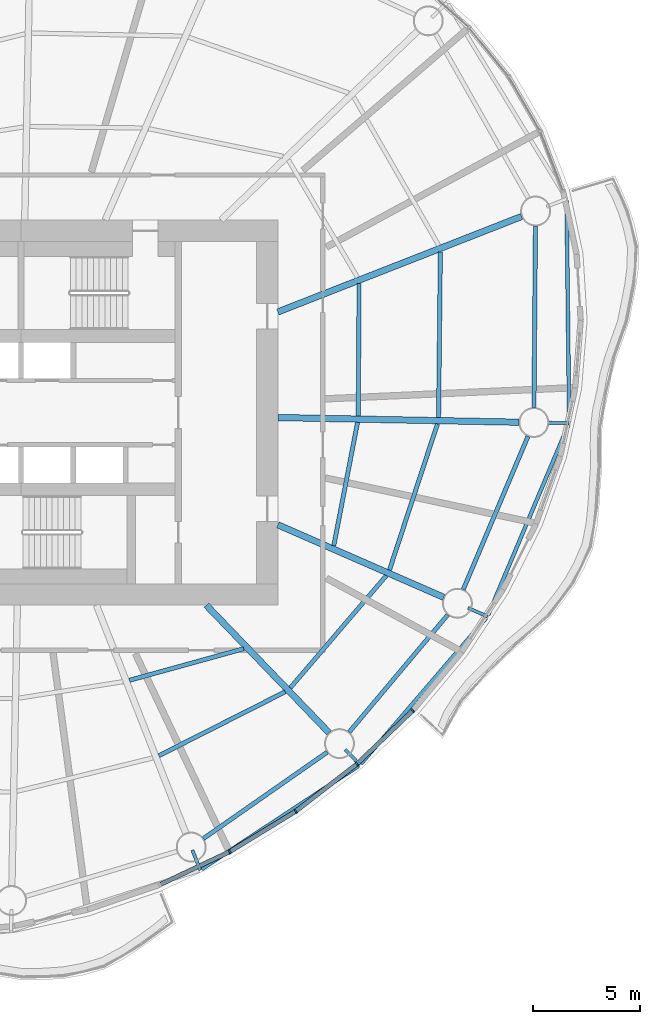
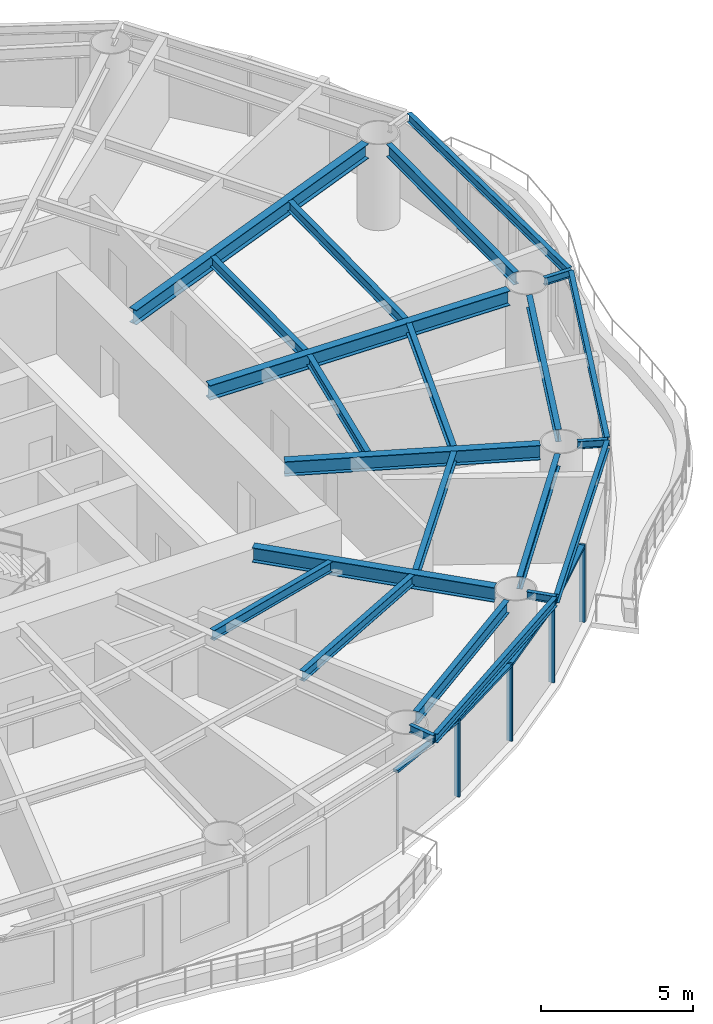
# One storey, part 4 of 14: 23 beams, 8 members, 4 elements without a shape of their own.
"""IFC4 building model written with IfcOpenShell, lengths in metres."""

from ifc_helpers import new_model, si_unit, direction, frame, origin, origin_2d, place, context, subcontext, project, spatial, rectangle, i_section, extrude, material, material_profile, profile_set, type_object, element, aggregate, save


model = new_model("IFC4")

# Units and contexts
model_context = context("Model", 3, precision=1e-05, world=origin(), true_north=direction((0.0, 1.0)))
body_context = subcontext(model_context, "Body", "Model", "MODEL_VIEW")
ifc_project = project(units=[si_unit("LENGTHUNIT", "METRE"), si_unit("AREAUNIT", "SQUARE_METRE"), si_unit("VOLUMEUNIT", "CUBIC_METRE"), si_unit("PLANEANGLEUNIT", "RADIAN"), si_unit("MASSUNIT", "GRAM", prefix="KILO")], contexts=[model_context])

# Site, building, storey
site_placement = place(None, origin())
site = spatial("IfcSite", under=ifc_project, at=site_placement, CompositionType="ELEMENT")
building_placement = place(site_placement, origin())
building = spatial("IfcBuilding", under=site, at=building_placement, Name="Vermilion Reach Broadcast Tower", CompositionType="ELEMENT")
storey_placement = place(building_placement, frame((0.0, 0.0, 172.199951171875)))
storey = spatial("IfcBuildingStorey", under=building, at=storey_placement, Name="L41", CompositionType="ELEMENT", Elevation=172.199951171875)

# Beams
ifc_material_1 = material(Name="Steel S355J2", Category="steel")
ifc_material_profile_1 = material_profile(ifc_material_1, i_section(OverallWidth=0.175048828125, OverallDepth=0.35009765625, WebThickness=0.007080078125, FlangeThickness=0.010986328125, at=origin_2d()), Name="S355J2 HN 350x175x7x11")
ifc_profile_set_1 = profile_set([ifc_material_profile_1], Name="Steel S355J2")
beam_type_1 = type_object("IfcBeamType", Name="EB3 HN 350x175x7x11", PredefinedType="BEAM", material=ifc_profile_set_1)
beam_1_placement = place(storey_placement, frame((2.43701171875, -21.334228515625, 3.275146484375), z_axis=(0.835294472023, 0.549802823754, 0.0), x_axis=(-0.549802823754, 0.835294472023, 0.0)))
element("IfcBeam", 1, at=beam_1_placement, inside=storey, type_object=beam_type_1, Name="Edge beam EB3-12", PredefinedType="BEAM", context=body_context, shape_type="SweptSolid", body=[
    extrude(i_section(OverallWidth=0.175048828125, OverallDepth=0.35009765625, WebThickness=0.007080078125, FlangeThickness=0.010986328125, at=origin_2d()), origin(), (0.0, 0.0, 1.0), 8.783447265625),
])
beam_2_placement = place(storey_placement, frame((9.886474609375, -16.406005859375, 3.275146484375), z_axis=(0.651522392259, 0.75862940385, 0.0), x_axis=(-0.75862940385, 0.651522392259, 0.0)))
element("IfcBeam", 2, at=beam_2_placement, inside=storey, type_object=beam_type_1, Name="Edge beam EB3-13", PredefinedType="BEAM", context=body_context, shape_type="SweptSolid", body=[
    extrude(i_section(OverallWidth=0.175048828125, OverallDepth=0.35009765625, WebThickness=0.007080078125, FlangeThickness=0.010986328125, at=origin_2d()), origin(), (0.0, 0.0, 1.0), 8.989990234375),
])
beam_3_placement = place(storey_placement, frame((15.823974609375, -9.457275390625, 3.275146484375), z_axis=(0.389124766338, 0.92118506079, 0.0), x_axis=(-0.92118506079, 0.389124766338, 0.0)))
element("IfcBeam", 3, at=beam_3_placement, inside=storey, type_object=beam_type_1, Name="Edge beam EB3-14", PredefinedType="BEAM", context=body_context, shape_type="SweptSolid", body=[
    extrude(i_section(OverallWidth=0.175048828125, OverallDepth=0.35009765625, WebThickness=0.007080078125, FlangeThickness=0.010986328125, at=origin_2d()), origin(), (0.0, 0.0, 1.0), 9.64697265625),
])
beam_4_placement = place(storey_placement, frame((19.6083984375, -0.421142578125, 3.275146484375), z_axis=(-0.011491319714, 0.999933972606, 0.0), x_axis=(-0.999933972606, -0.011491319714, 0.0)))
element("IfcBeam", 4, at=beam_4_placement, inside=storey, type_object=beam_type_1, Name="Edge beam EB3-15", PredefinedType="BEAM", context=body_context, shape_type="SweptSolid", body=[
    extrude(i_section(OverallWidth=0.175048828125, OverallDepth=0.35009765625, WebThickness=0.007080078125, FlangeThickness=0.010986328125, at=origin_2d()), origin(), (0.0, 0.0, 1.0), 10.325439453125),
])
ifc_material_2 = material(Name="Steel S355J2", Category="steel")
ifc_material_profile_2 = material_profile(ifc_material_2, i_section(OverallWidth=0.300048828125, OverallDepth=0.587890625, WebThickness=0.011962890625, FlangeThickness=0.02001953125, at=origin_2d()), Name="S355J2 HM 588x300x12x20")
ifc_profile_set_2 = profile_set([ifc_material_profile_2], Name="Steel S355J2")
beam_type_2 = type_object("IfcBeamType", Name="G3 HM 588x300x12x20", PredefinedType="BEAM", material=ifc_profile_set_2)
beam_5_placement = place(storey_placement, frame((2.657958984375, -9.0, 3.156005859375), z_axis=(0.693282657492, -0.72066577331, 0.0), x_axis=(0.72066577331, 0.693282657492, 0.0)))
element("IfcBeam", 5, at=beam_5_placement, inside=storey, type_object=beam_type_2, Name="Girder G3-13", PredefinedType="BEAM", context=body_context, shape_type="SweptSolid", body=[
    extrude(i_section(OverallWidth=0.300048828125, OverallDepth=0.587890625, WebThickness=0.011962890625, FlangeThickness=0.02001953125, at=origin_2d()), origin(), (0.0, 0.0, 1.0), 8.273681640625),
])
beam_6_placement = place(storey_placement, frame((6.0, -5.2451171875, 3.156005859375), z_axis=(0.916287847036, -0.400520388213, 0.0), x_axis=(0.400520388213, 0.916287847036, 0.0)))
element("IfcBeam", 6, at=beam_6_placement, inside=storey, type_object=beam_type_2, Name="Girder G3-14", PredefinedType="BEAM", context=body_context, shape_type="SweptSolid", body=[
    extrude(i_section(OverallWidth=0.300048828125, OverallDepth=0.587890625, WebThickness=0.011962890625, FlangeThickness=0.02001953125, at=origin_2d()), origin(), (0.0, 0.0, 1.0), 8.45458984375),
])
beam_7_placement = place(storey_placement, frame((6.0, -0.232421875, 3.156005859375), z_axis=(0.999812170888, -0.019380994401, 0.0), x_axis=(0.019380994401, 0.999812170888, 0.0)))
element("IfcBeam", 7, at=beam_7_placement, inside=storey, type_object=beam_type_2, Name="Girder G3-15", PredefinedType="BEAM", context=body_context, shape_type="SweptSolid", body=[
    extrude(i_section(OverallWidth=0.300048828125, OverallDepth=0.587890625, WebThickness=0.011962890625, FlangeThickness=0.02001953125, at=origin_2d()), origin(), (0.0, 0.0, 1.0), 11.26171875),
])
beam_8_placement = place(storey_placement, frame((6.0, 4.700439453125, 3.156005859375), z_axis=(0.931124635714, 0.364701128004, 0.0), x_axis=(-0.364701128004, 0.931124635714, 0.0)))
element("IfcBeam", 8, at=beam_8_placement, inside=storey, type_object=beam_type_2, Name="Girder G3-16", PredefinedType="BEAM", context=body_context, shape_type="SweptSolid", body=[
    extrude(i_section(OverallWidth=0.300048828125, OverallDepth=0.587890625, WebThickness=0.011962890625, FlangeThickness=0.02001953125, at=origin_2d()), origin(), (0.0, 0.0, 1.0), 12.231201171875),
])
ifc_material_3 = material(Name="Steel S355J2", Category="steel")
ifc_material_profile_3 = material_profile(ifc_material_3, i_section(OverallWidth=0.14990234375, OverallDepth=0.300048828125, WebThickness=0.006591796875, FlangeThickness=0.009033203125, at=origin_2d()), Name="S355J2 HN 300x150x6.5x9")
ifc_profile_set_3 = profile_set([ifc_material_profile_3], Name="Steel S355J2")
beam_type_3 = type_object("IfcBeamType", Name="GS3 HN 300x150x6.5x9", PredefinedType="BEAM", material=ifc_profile_set_3)
beam_9_placement = place(storey_placement, frame((2.00830078125, -20.4453125, 3.300048828125), z_axis=(0.364813627815, -0.931080564162, 0.0), x_axis=(0.931080564162, 0.364813627815, 0.0)))
element("IfcBeam", 9, at=beam_9_placement, inside=storey, type_object=beam_type_3, Name="Cantilever stub GS3-12", PredefinedType="BEAM", context=body_context, shape_type="SweptSolid", body=[
    extrude(i_section(OverallWidth=0.14990234375, OverallDepth=0.300048828125, WebThickness=0.006591796875, FlangeThickness=0.009033203125, at=origin_2d()), origin(), (0.0, 0.0, 1.0), 0.999755859375),
])
for number, where, z_axis, x_axis, name in (
    (10, (9.14404296875, -15.742431640625, 3.300048828125), (0.693303837595, -0.720645397388, 0.0), (0.720645397388, 0.693303837595, 0.0), "Cantilever stub GS3-13"),
    (11, (14.87841796875, -9.1259765625, 3.300048828125), (0.916330962408, -0.400421736837, 0.0), (0.400421736837, 0.916330962408, 0.0), "Cantilever stub GS3-14"),
    (12, (18.609375, -0.476806640625, 3.300048828125), (0.999813964781, -0.019288230334, 0.0), (0.019288230334, 0.999813964781, 0.0), "Cantilever stub GS3-15"),
):
    element("IfcBeam", number, at=place(storey_placement, frame(where, z_axis=z_axis, x_axis=x_axis)), inside=storey, type_object=beam_type_3, Name=name, PredefinedType="BEAM", context=body_context, shape_type="SweptSolid", body=[
        extrude(i_section(OverallWidth=0.14990234375, OverallDepth=0.300048828125, WebThickness=0.006591796875, FlangeThickness=0.009033203125, at=origin_2d()), origin(), (0.0, 0.0, 1.0), 1.0),
    ])
ifc_material_4 = material(Name="Steel S355J2", Category="steel")
ifc_material_profile_4 = material_profile(ifc_material_4, i_section(OverallWidth=0.199951171875, OverallDepth=0.5, WebThickness=0.010009765625, FlangeThickness=0.01611328125, at=origin_2d()), Name="S355J2 HN 500x200x10x16")
ifc_profile_set_4 = profile_set([ifc_material_profile_4], Name="Steel S355J2")
beam_type_4 = type_object("IfcBeamType", Name="RB3 HN 500x200x10x16", PredefinedType="BEAM", material=ifc_profile_set_4)
beam_10_placement = place(storey_placement, frame((2.525634765625, -19.900146484375, 3.199951171875), z_axis=(0.820111453349, 0.572203813415, 0.0), x_axis=(-0.572203813415, 0.820111453349, 0.0)))
element("IfcBeam", 13, at=beam_10_placement, inside=storey, type_object=beam_type_4, Name="Ring beam RB3-12", PredefinedType="BEAM", context=body_context, shape_type="SweptSolid", body=[
    extrude(i_section(OverallWidth=0.199951171875, OverallDepth=0.5, WebThickness=0.010009765625, FlangeThickness=0.01611328125, at=origin_2d()), origin(), (0.0, 0.0, 1.0), 7.04736328125),
])
beam_11_placement = place(storey_placement, frame((9.32958984375, -14.931396484375, 3.199951171875), z_axis=(0.643350337931, 0.765571905626, 0.0), x_axis=(-0.765571905626, 0.643350337931, 0.0)))
element("IfcBeam", 14, at=beam_11_placement, inside=storey, type_object=beam_type_4, Name="Ring beam RB3-13", PredefinedType="BEAM", context=body_context, shape_type="SweptSolid", body=[
    extrude(i_section(OverallWidth=0.199951171875, OverallDepth=0.5, WebThickness=0.010009765625, FlangeThickness=0.01611328125, at=origin_2d()), origin(), (0.0, 0.0, 1.0), 7.1630859375),
])
beam_12_placement = place(storey_placement, frame((14.660888671875, -8.266845703125, 3.199951171875), z_axis=(0.389368386196, 0.921082113512, 0.0), x_axis=(-0.921082113512, 0.389368386196, 0.0)))
element("IfcBeam", 15, at=beam_12_placement, inside=storey, type_object=beam_type_4, Name="Ring beam RB3-14", PredefinedType="BEAM", context=body_context, shape_type="SweptSolid", body=[
    extrude(i_section(OverallWidth=0.199951171875, OverallDepth=0.5, WebThickness=0.010009765625, FlangeThickness=0.01611328125, at=origin_2d()), origin(), (0.0, 0.0, 1.0), 7.771240234375),
])
beam_13_placement = place(storey_placement, frame((17.965087890625, 0.23583984375, 3.199951171875), z_axis=(0.008204232036, 0.999966344722, 0.0), x_axis=(-0.999966344722, 0.008204232036, 0.0)))
element("IfcBeam", 16, at=beam_13_placement, inside=storey, type_object=beam_type_4, Name="Ring beam RB3-15", PredefinedType="BEAM", context=body_context, shape_type="SweptSolid", body=[
    extrude(i_section(OverallWidth=0.199951171875, OverallDepth=0.5, WebThickness=0.010009765625, FlangeThickness=0.01611328125, at=origin_2d()), origin(), (0.0, 0.0, 1.0), 8.48095703125),
])
ifc_material_5 = material(Name="Steel S355J2", Category="steel")
ifc_material_profile_5 = material_profile(ifc_material_5, i_section(OverallWidth=0.199951171875, OverallDepth=0.39990234375, WebThickness=0.008056640625, FlangeThickness=0.012939453125, at=origin_2d()), Name="S355J2 HN 400x200x8x13")
ifc_profile_set_5 = profile_set([ifc_material_profile_5], Name="Steel S355J2")
beam_type_5 = type_object("IfcBeamType", Name="SB3 HN 400x200x8x13", PredefinedType="BEAM", material=ifc_profile_set_5)
beam_14_placement = place(storey_placement, frame((-0.93896484375, -12.509521484375, 3.25), z_axis=(0.963889790258, 0.266301468708, 0.0), x_axis=(-0.266301468708, 0.963889790258, 0.0)))
element("IfcBeam", 17, at=beam_14_placement, inside=storey, type_object=beam_type_5, Name="Secondary beam SB3-12-1", PredefinedType="BEAM", context=body_context, shape_type="SweptSolid", body=[
    extrude(i_section(OverallWidth=0.199951171875, OverallDepth=0.39990234375, WebThickness=0.008056640625, FlangeThickness=0.012939453125, at=origin_2d()), origin(), (0.0, 0.0, 1.0), 5.544677734375),
])
beam_15_placement = place(storey_placement, frame((0.4404296875, -16.03125, 3.25), z_axis=(0.892320561657, 0.451402276516, 0.0), x_axis=(-0.451402276516, 0.892320561657, 0.0)))
element("IfcBeam", 18, at=beam_15_placement, inside=storey, type_object=beam_type_5, Name="Secondary beam SB3-12-2", PredefinedType="BEAM", context=body_context, shape_type="SweptSolid", body=[
    extrude(i_section(OverallWidth=0.199951171875, OverallDepth=0.39990234375, WebThickness=0.008056640625, FlangeThickness=0.012939453125, at=origin_2d()), origin(), (0.0, 0.0, 1.0), 6.613525390625),
])
beam_16_placement = place(storey_placement, frame((6.579833984375, -12.860595703125, 3.25), z_axis=(0.650167134505, 0.759791219487, 0.0), x_axis=(-0.759791219487, 0.650167134505, 0.0)))
element("IfcBeam", 19, at=beam_16_placement, inside=storey, type_object=beam_type_5, Name="Secondary beam SB3-13-2", PredefinedType="BEAM", context=body_context, shape_type="SweptSolid", body=[
    extrude(i_section(OverallWidth=0.199951171875, OverallDepth=0.39990234375, WebThickness=0.008056640625, FlangeThickness=0.012939453125, at=origin_2d()), origin(), (0.0, 0.0, 1.0), 6.89501953125),
])
beam_17_placement = place(storey_placement, frame((8.611328125, -6.222900390625, 3.25), z_axis=(0.189462365782, 0.981887983404, 0.0), x_axis=(-0.981887983404, 0.189462365782, 0.0)))
element("IfcBeam", 20, at=beam_17_placement, inside=storey, type_object=beam_type_5, Name="Secondary beam SB3-14-1", PredefinedType="BEAM", context=body_context, shape_type="SweptSolid", body=[
    extrude(i_section(OverallWidth=0.199951171875, OverallDepth=0.39990234375, WebThickness=0.008056640625, FlangeThickness=0.012939453125, at=origin_2d()), origin(), (0.0, 0.0, 1.0), 5.874755859375),
])
beam_18_placement = place(storey_placement, frame((11.211669921875, -7.359375, 3.25), z_axis=(0.312243016281, 0.950002262515, 0.0), x_axis=(-0.950002262515, 0.312243016281, 0.0)))
element("IfcBeam", 21, at=beam_18_placement, inside=storey, type_object=beam_type_5, Name="Secondary beam SB3-14-2", PredefinedType="BEAM", context=body_context, shape_type="SweptSolid", body=[
    extrude(i_section(OverallWidth=0.199951171875, OverallDepth=0.39990234375, WebThickness=0.008056640625, FlangeThickness=0.012939453125, at=origin_2d()), origin(), (0.0, 0.0, 1.0), 7.19189453125),
])
beam_19_placement = place(storey_placement, frame((9.754150390625, -0.1552734375, 3.25), z_axis=(0.006635449147, 0.999977985165, 0.0), x_axis=(-0.999977985165, 0.006635449147, 0.0)))
element("IfcBeam", 22, at=beam_19_placement, inside=storey, type_object=beam_type_5, Name="Secondary beam SB3-15-1", PredefinedType="BEAM", context=body_context, shape_type="SweptSolid", body=[
    extrude(i_section(OverallWidth=0.199951171875, OverallDepth=0.39990234375, WebThickness=0.008056640625, FlangeThickness=0.012939453125, at=origin_2d()), origin(), (0.0, 0.0, 1.0), 6.181396484375),
])
beam_20_placement = place(storey_placement, frame((13.508056640625, -0.22802734375, 3.25), z_axis=(0.010691708672, 0.999942842049, 0.0), x_axis=(-0.999942842049, 0.010691708672, 0.0)))
element("IfcBeam", 23, at=beam_20_placement, inside=storey, type_object=beam_type_5, Name="Secondary beam SB3-15-2", PredefinedType="BEAM", context=body_context, shape_type="SweptSolid", body=[
    extrude(i_section(OverallWidth=0.199951171875, OverallDepth=0.39990234375, WebThickness=0.008056640625, FlangeThickness=0.012939453125, at=origin_2d()), origin(), (0.0, 0.0, 1.0), 7.740966796875),
])

# Curtain wall, member
ifc_material_6 = material(Name="Low-e laminated clear glass in aluminium frame", Category="aluminium")
curtain_wall_type = type_object("IfcCurtainWallType", Name="Slot curtain wall", PredefinedType="NOTDEFINED", material=ifc_material_6)
placement = place(storey_placement, origin())
curtain_wall_1 = element("IfcCurtainWall", 24, at=placement, inside=storey, type_object=curtain_wall_type, Name="Slot curtain wall L41 35", PredefinedType="NOTDEFINED")
ifc_material_7 = material(Name="Anodised aluminium", Category="aluminium")
ifc_material_profile_6 = material_profile(ifc_material_7, rectangle(XDim=0.199951171875, YDim=0.080078125, at=origin_2d()), Name="Slot mullion 80 x 200")
ifc_profile_set_6 = profile_set([ifc_material_profile_6], Name="Anodised aluminium")
member_type_1 = type_object("IfcMemberType", Name="Slot mullion 80 x 200", PredefinedType="MULLION", material=ifc_profile_set_6)
member_1_placement = place(storey_placement, frame((3.74072265625, -20.519775390625, 0.0), z_axis=(0.0, 0.0, 1.0), x_axis=(-0.475533038196, 0.879697862669, 0.0)))
member_1 = element("IfcMember", 25, at=member_1_placement, type_object=member_type_1, Name="Slot mullion L41 35", PredefinedType="MULLION", context=body_context, shape_type="SweptSolid", body=[
    extrude(rectangle(XDim=0.199951171875, YDim=0.080078125, at=origin_2d()), origin(), (0.0, 0.0, 1.0), 3.10009765625),
])

curtain_wall_2 = element("IfcCurtainWall", 26, at=placement, inside=storey, type_object=curtain_wall_type, Name="Slot curtain wall L41 36", PredefinedType="NOTDEFINED")
member_2_placement = place(storey_placement, frame((6.830810546875, -18.627197265625, 0.0), z_axis=(0.0, 0.0, 1.0), x_axis=(-0.567268977241, 0.823532578263, 0.0)))
member_2 = element("IfcMember", 27, at=member_2_placement, type_object=member_type_1, Name="Slot mullion L41 36", PredefinedType="MULLION", context=body_context, shape_type="SweptSolid", body=[
    extrude(rectangle(XDim=0.199951171875, YDim=0.080078125, at=origin_2d()), origin(), (0.0, 0.0, 1.0), 3.10009765625),
])

# Curtain wall, members
curtain_wall_3 = element("IfcCurtainWall", 28, at=placement, inside=storey, type_object=curtain_wall_type, Name="Slot curtain wall L41 37", PredefinedType="NOTDEFINED")
member_3_placement = place(storey_placement, frame((9.700439453125, -16.41455078125, 0.0), z_axis=(0.0, 0.0, 1.0), x_axis=(-0.652441502823, 0.757839089381, 0.0)))
member_3 = element("IfcMember", 29, at=member_3_placement, type_object=member_type_1, Name="Slot mullion L41 37", PredefinedType="MULLION", context=body_context, shape_type="SweptSolid", body=[
    extrude(rectangle(XDim=0.199951171875, YDim=0.080078125, at=origin_2d()), origin(), (0.0, 0.0, 1.0), 3.10009765625),
])
member_4_placement = place(storey_placement, frame((12.30029296875, -13.919921875, 0.0), z_axis=(0.0, 0.0, 1.0), x_axis=(-0.730889219069, 0.682496116802, 0.0)))
member_4 = element("IfcMember", 30, at=member_4_placement, type_object=member_type_1, Name="Slot mullion L41 38", PredefinedType="MULLION", context=body_context, shape_type="SweptSolid", body=[
    extrude(rectangle(XDim=0.199951171875, YDim=0.080078125, at=origin_2d()), origin(), (0.0, 0.0, 1.0), 3.10009765625),
])

# Curtain wall, member
curtain_wall_4 = element("IfcCurtainWall", 31, at=placement, inside=storey, type_object=curtain_wall_type, Name="Slot curtain wall L41 34", PredefinedType="NOTDEFINED")
ifc_material_8 = material(Name="Anodised aluminium", Category="aluminium")
ifc_material_profile_7 = material_profile(ifc_material_8, rectangle(XDim=0.199951171875, YDim=0.10009765625, at=origin_2d()), Name="Slot transom 200 x 100")
ifc_profile_set_7 = profile_set([ifc_material_profile_7], Name="Anodised aluminium")
member_type_2 = type_object("IfcMemberType", Name="Slot transom 200 x 100", PredefinedType="USERDEFINED", material=ifc_profile_set_7)
member_5_placement = place(storey_placement, frame((0.51953125, -22.04248046875, 3.050048828125), z_axis=(0.904077621629, 0.427368288563, 0.0), x_axis=(-0.427368288563, 0.904077621629, 0.0)))
member_5 = element("IfcMember", 32, at=member_5_placement, type_object=member_type_2, Name="Slot transom L41 34.1", ObjectType="TRANSOM", PredefinedType="USERDEFINED", context=body_context, shape_type="SweptSolid", body=[
    extrude(rectangle(XDim=0.199951171875, YDim=0.10009765625, at=origin_2d()), origin(), (0.0, 0.0, 1.0), 3.52294921875),
])
aggregate(curtain_wall_4, [member_5])

# Member
member_6_placement = place(storey_placement, frame((3.77490234375, -20.498779296875, 3.050048828125), z_axis=(0.852782416953, 0.522266358609, 0.0), x_axis=(-0.522266358609, 0.852782416953, 0.0)))
member_6 = element("IfcMember", 33, at=member_6_placement, type_object=member_type_2, Name="Slot transom L41 35.1", ObjectType="TRANSOM", PredefinedType="USERDEFINED", context=body_context, shape_type="SweptSolid", body=[
    extrude(rectangle(XDim=0.199951171875, YDim=0.10009765625, at=origin_2d()), origin(), (0.0, 0.0, 1.0), 3.54345703125),
])

aggregate(curtain_wall_1, [member_1, member_6])

member_7_placement = place(storey_placement, frame((6.862548828125, -18.602783203125, 3.050048828125), z_axis=(0.791934544832, 0.610605991374, 0.0), x_axis=(-0.610605991374, 0.791934544832, 0.0)))
member_7 = element("IfcMember", 34, at=member_7_placement, type_object=member_type_2, Name="Slot transom L41 36.1", ObjectType="TRANSOM", PredefinedType="USERDEFINED", context=body_context, shape_type="SweptSolid", body=[
    extrude(rectangle(XDim=0.199951171875, YDim=0.10009765625, at=origin_2d()), origin(), (0.0, 0.0, 1.0), 3.543701171875),
])

aggregate(curtain_wall_2, [member_2, member_7])

member_8_placement = place(storey_placement, frame((9.7294921875, -16.38671875, 3.050048828125), z_axis=(0.721545188484, 0.6923673454, 0.0), x_axis=(-0.6923673454, 0.721545188484, 0.0)))
member_8 = element("IfcMember", 35, at=member_8_placement, type_object=member_type_2, Name="Slot transom L41 37.1", ObjectType="TRANSOM", PredefinedType="USERDEFINED", context=body_context, shape_type="SweptSolid", body=[
    extrude(rectangle(XDim=0.199951171875, YDim=0.10009765625, at=origin_2d()), origin(), (0.0, 0.0, 1.0), 3.522705078125),
])

aggregate(curtain_wall_3, [member_3, member_4, member_8])

save(model, "model.ifc")
